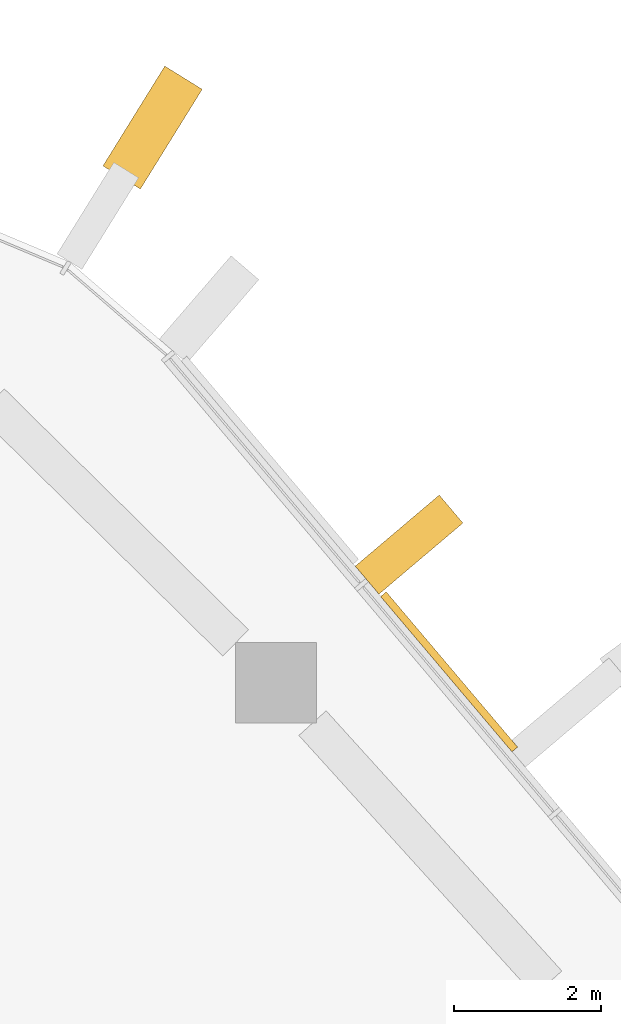
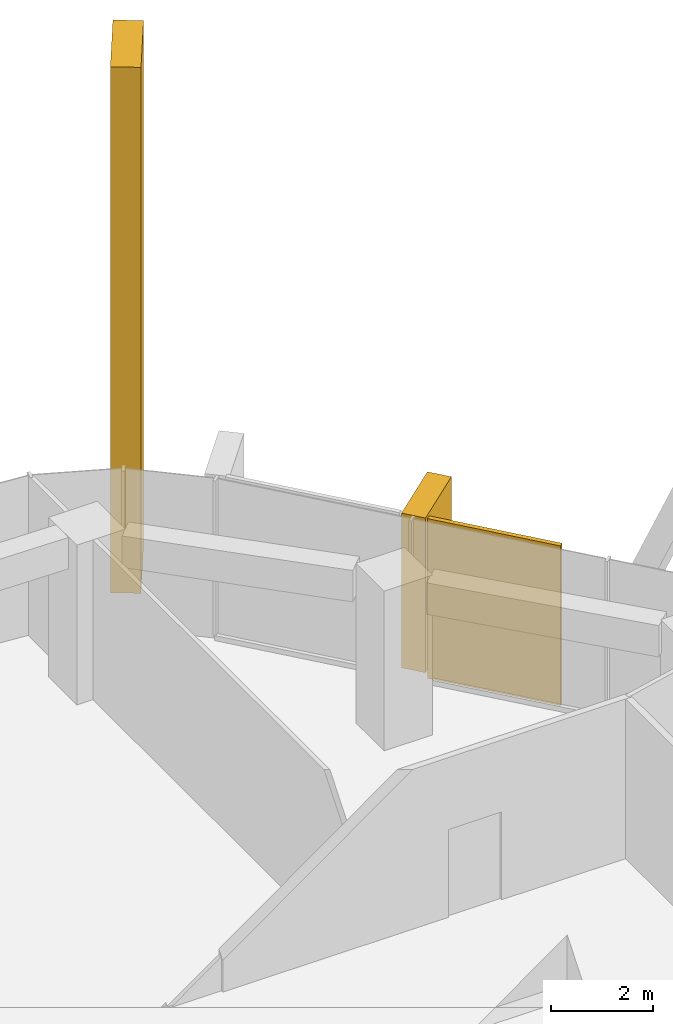
# One storey, part 20 of 20: 3 coverings, 2 elements without a shape of their own.
"""IFC4 building model written with IfcOpenShell, lengths in metres."""

from ifc_helpers import new_model, si_unit, direction, frame, origin, origin_2d, place, context, subcontext, project, spatial, rectangle, extrude, material, layer, layer_set, material_profile, profile_set, type_object, element, aggregate, save


model = new_model("IFC4")

# Units and contexts
model_context = context("Model", 3, precision=1e-05, world=origin(), true_north=direction((0.0, 1.0)))
body_context = subcontext(model_context, "Body", "Model", "MODEL_VIEW")
ifc_project = project(units=[si_unit("LENGTHUNIT", "METRE"), si_unit("AREAUNIT", "SQUARE_METRE"), si_unit("VOLUMEUNIT", "CUBIC_METRE"), si_unit("PLANEANGLEUNIT", "RADIAN"), si_unit("MASSUNIT", "GRAM", prefix="KILO")], contexts=[model_context])

# Site, building, storey
site_placement = place(None, origin())
site = spatial("IfcSite", under=ifc_project, at=site_placement, CompositionType="ELEMENT")
building_placement = place(site_placement, origin())
building = spatial("IfcBuilding", under=site, at=building_placement, Name="Dongbaek Canopy Tower", CompositionType="ELEMENT")
storey_placement = place(building_placement, frame((0.0, 0.0, 266.39990234375)))
storey = spatial("IfcBuildingStorey", under=building, at=storey_placement, Name="L56", CompositionType="ELEMENT", Elevation=266.39990234375)

# Curtain wall, covering
ifc_material_1 = material(Name="Aluminium 6063-T6 pale anodised", Category="aluminium")
ifc_layer_1 = layer(ifc_material_1, 0.199951171875)
ifc_layer_set_1 = layer_set([ifc_layer_1], Name="CW-1 unitised tower curtain wall")
curtain_wall_type = type_object("IfcCurtainWallType", Name="CW-1 unitised tower curtain wall", PredefinedType="NOTDEFINED", material=ifc_layer_set_1)
curtain_wall_1_placement = place(storey_placement, origin())
curtain_wall_1 = element("IfcCurtainWall", 1, at=curtain_wall_1_placement, inside=storey, type_object=curtain_wall_type, Name="CW-1 curtain wall K1.1", PredefinedType="NOTDEFINED")
ifc_material_2 = material(Name="Aluminium 6063-T6 pale metal fin", Category="aluminium")
ifc_material_profile_1 = material_profile(ifc_material_2, rectangle(XDim=1.60009765625, YDim=0.60009765625, at=origin_2d()), Name="Corner fin CN1 600 x 1600 pale metal")
ifc_profile_set_1 = profile_set([ifc_material_profile_1], Name="Aluminium 6063-T6 pale metal fin")
covering_type_1 = type_object("IfcCoveringType", Name="Corner fin CN1 600 x 1600 pale metal", PredefinedType="CLADDING", material=ifc_profile_set_1)
covering_1_placement = place(storey_placement, frame((13.736572265625, 27.793212890625, -0.18994140625), z_axis=(0.0, 0.0, 1.0), x_axis=(0.526936511908, 0.849904649016, 0.0)))
covering_1 = element("IfcCovering", 2, at=covering_1_placement, type_object=covering_type_1, Name="Corner fin L56 L58 K1", PredefinedType="CLADDING", context=body_context, shape_type="SweptSolid", body=[
    extrude(rectangle(XDim=1.60009765625, YDim=0.60009765625, at=origin_2d()), origin(), (0.0, 0.0, 1.0), 12.580078125),
])
aggregate(curtain_wall_1, [covering_1])

# Curtain wall, coverings
curtain_wall_2_placement = place(storey_placement, origin())
curtain_wall_2 = element("IfcCurtainWall", 3, at=curtain_wall_2_placement, inside=storey, type_object=curtain_wall_type, Name="CW-1 curtain wall F0.1", PredefinedType="NOTDEFINED")
ifc_material_3 = material(Name="Perforated aluminium 6063-T6 pale metal screen", Category="aluminium")
ifc_layer_2 = layer(ifc_material_3, 0.10009765625)
ifc_layer_set_2 = layer_set([ifc_layer_2], Name="Facet screen FS1 100 pale metal")
covering_type_2 = type_object("IfcCoveringType", Name="Facet screen FS1 100 pale metal", PredefinedType="CLADDING", material=ifc_layer_set_2)
covering_2_placement = place(storey_placement, frame((17.77685546875, 20.377685546875, 0.0), z_axis=(0.0, 0.0, 1.0), x_axis=(-0.6460547082, 0.763291106991, 0.0)))
covering_2 = element("IfcCovering", 4, at=covering_2_placement, type_object=covering_type_2, Name="Facet screen L56 F0", PredefinedType="CLADDING", context=body_context, shape_type="SweptSolid", body=[
    extrude(rectangle(XDim=2.770751953125, YDim=0.10009765625, at=origin_2d()), origin(), (0.0, 0.0, 1.0), 3.820068359375),
])
ifc_material_4 = material(Name="Aluminium 6063-T6 pale metal fin", Category="aluminium")
ifc_material_profile_2 = material_profile(ifc_material_4, rectangle(XDim=1.5, YDim=0.5, at=origin_2d()), Name="Fin FN1 500 x 1500 pale metal")
ifc_profile_set_2 = profile_set([ifc_material_profile_2], Name="Aluminium 6063-T6 pale metal fin")
covering_type_3 = type_object("IfcCoveringType", Name="Fin FN1 500 x 1500 pale metal", PredefinedType="CLADDING", material=ifc_profile_set_2)
covering_3_placement = place(storey_placement, frame((17.231689453125, 22.111083984375, 0.1201171875), z_axis=(0.0, 0.0, 1.0), x_axis=(0.763290756517, 0.646055122273, 0.0)))
covering_3 = element("IfcCovering", 5, at=covering_3_placement, type_object=covering_type_3, Name="Fin F0.1.5", PredefinedType="CLADDING", context=body_context, shape_type="SweptSolid", body=[
    extrude(rectangle(XDim=1.5, YDim=0.5, at=origin_2d()), origin(), (0.0, 0.0, 1.0), 3.699951171875),
])
aggregate(curtain_wall_2, [covering_3, covering_2])

save(model, "model.ifc")
